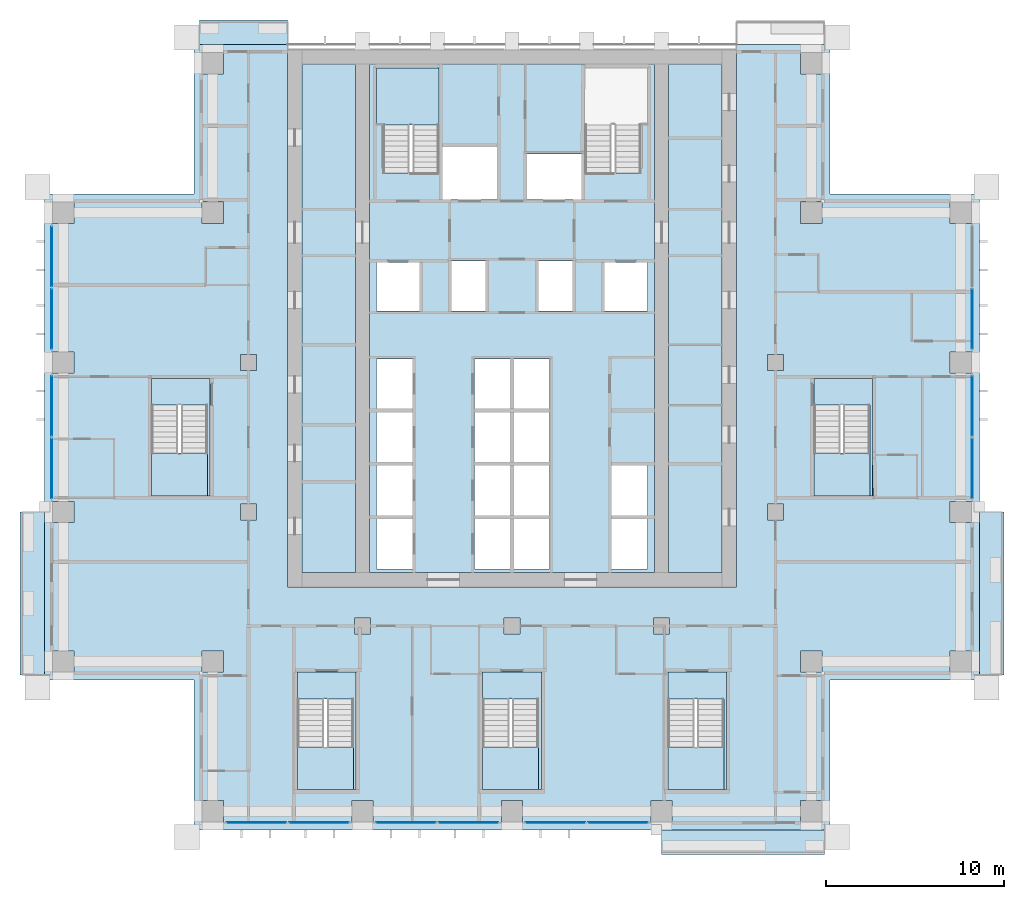
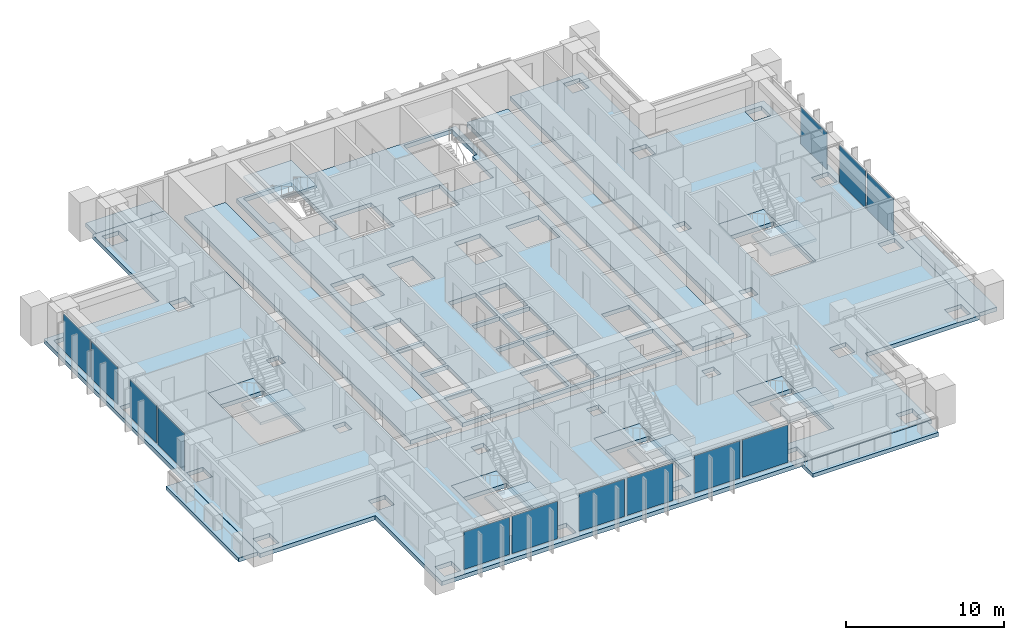
# One storey, part 8 of 21: 19 slabs, 13 plates, 13 elements without a shape of their own.
"""IFC4 building model written with IfcOpenShell, lengths in metres."""

from ifc_helpers import new_model, si_unit, direction, frame, origin, origin_2d, place, context, subcontext, project, spatial, polyline, rectangle, outline, extrude, material, layer, layer_set, type_object, element, aggregate, save


model = new_model("IFC4")

# Units and contexts
model_context = context("Model", 3, precision=1e-05, world=origin(), true_north=direction((0.0, 1.0)))
body_context = subcontext(model_context, "Body", "Model", "MODEL_VIEW")
ifc_project = project(units=[si_unit("LENGTHUNIT", "METRE"), si_unit("AREAUNIT", "SQUARE_METRE"), si_unit("VOLUMEUNIT", "CUBIC_METRE"), si_unit("PLANEANGLEUNIT", "RADIAN"), si_unit("MASSUNIT", "GRAM", prefix="KILO")], contexts=[model_context])

# Site, building, storey
site_placement = place(None, origin())
site = spatial("IfcSite", under=ifc_project, at=site_placement, CompositionType="ELEMENT")
building_placement = place(site_placement, origin())
building = spatial("IfcBuilding", under=site, at=building_placement, Name="Vermilion Ogive Tower", CompositionType="ELEMENT")
storey_placement = place(building_placement, frame((0.0, 0.0, 118.35009765625)))
storey = spatial("IfcBuildingStorey", under=building, at=storey_placement, Name="L30", CompositionType="ELEMENT", Elevation=118.35009765625)

# Slabs
ifc_material_1 = material(Name="Concrete B40", Category="concrete")
ifc_layer_1 = layer(ifc_material_1, 0.300048828125)
ifc_layer_set_1 = layer_set([ifc_layer_1], Name="Balcony slab")
slab_type_1 = type_object("IfcSlabType", Name="Balcony slab", PredefinedType="FLOOR", material=ifc_layer_set_1)
slab_1_placement = place(storey_placement, frame((0.0, 0.0, -0.340087890625)))
element("IfcSlab", 1, at=slab_1_placement, inside=storey, type_object=slab_type_1, Name="Balcony slab S04", PredefinedType="FLOOR", context=body_context, shape_type="SweptSolid", body=[
    extrude(outline(polyline([(8.39990234375, -23.43408203125), (17.550048828125, -23.43408203125), (17.550048828125, -22.050048828125), (8.39990234375, -22.050048828125), (8.39990234375, -23.43408203125)])), origin(), (0.0, 0.0, 1.0), 0.300048828125),
])
slab_2_placement = place(storey_placement, frame((0.0, 0.0, -0.340087890625)))
element("IfcSlab", 2, at=slab_2_placement, inside=storey, type_object=slab_type_1, Name="Balcony slab E01", PredefinedType="FLOOR", context=body_context, shape_type="SweptSolid", body=[
    extrude(outline(polyline([(27.634033203125, -13.35009765625), (27.634033203125, -4.199951171875), (26.25, -4.199951171875), (26.25, -13.35009765625), (27.634033203125, -13.35009765625)])), origin(), (0.0, 0.0, 1.0), 0.300048828125),
])
slab_3_placement = place(storey_placement, frame((0.0, 0.0, -0.340087890625)))
element("IfcSlab", 3, at=slab_3_placement, inside=storey, type_object=slab_type_1, Name="Balcony slab N201", PredefinedType="FLOOR", context=body_context, shape_type="SweptSolid", body=[
    extrude(outline(polyline([(-12.60009765625, 23.43408203125), (-17.550048828125, 23.43408203125), (-17.550048828125, 22.050048828125), (-12.60009765625, 22.050048828125), (-12.60009765625, 23.43408203125)])), origin(), (0.0, 0.0, 1.0), 0.300048828125),
])
slab_4_placement = place(storey_placement, frame((0.0, 0.0, -0.340087890625)))
element("IfcSlab", 4, at=slab_4_placement, inside=storey, type_object=slab_type_1, Name="Balcony slab W03", PredefinedType="FLOOR", context=body_context, shape_type="SweptSolid", body=[
    extrude(outline(polyline([(-27.634033203125, -4.199951171875), (-27.634033203125, -13.35009765625), (-26.25, -13.35009765625), (-26.25, -4.199951171875), (-27.634033203125, -4.199951171875)])), origin(), (0.0, 0.0, 1.0), 0.300048828125),
])

# Curtain wall, plates
ifc_material_2 = material(Name="Low-iron laminated glazing in aluminium frame", Category="aluminium")
curtain_wall_type = type_object("IfcCurtainWallType", Name="Curtain wall CW7", PredefinedType="NOTDEFINED", material=ifc_material_2)
curtain_wall_1_placement = place(storey_placement, origin())
curtain_wall_1 = element("IfcCurtainWall", 5, at=curtain_wall_1_placement, inside=storey, type_object=curtain_wall_type, Name="Glazed skin S1", PredefinedType="NOTDEFINED")
ifc_material_3 = material(Name="Low-iron laminated glazing in aluminium frame", Category="aluminium")
ifc_layer_2 = layer(ifc_material_3, 0.031982421875)
ifc_layer_set_2 = layer_set([ifc_layer_2], Name="CW7 glazing panel 32")
plate_type = type_object("IfcPlateType", Name="CW7 glazing panel 32", PredefinedType="CURTAIN_PANEL", material=ifc_layer_set_2)
plate_1_placement = place(storey_placement, frame((-14.35498046875, -21.64990234375, 0.06005859375), z_axis=(0.0, 0.0, 1.0), x_axis=(1.0, 0.0, 0.0)))
plate_1 = element("IfcPlate", 6, at=plate_1_placement, type_object=plate_type, Name="CW7-S1 panel 1.1", PredefinedType="CURTAIN_PANEL", context=body_context, shape_type="SweptSolid", body=[
    extrude(rectangle(XDim=3.330078125, YDim=0.031982421875, at=origin_2d()), origin(), (0.0, 0.0, 1.0), 2.8798828125),
])
plate_2_placement = place(storey_placement, frame((-10.844970703125, -21.64990234375, 0.06005859375), z_axis=(0.0, 0.0, 1.0), x_axis=(1.0, 0.0, 0.0)))
plate_2 = element("IfcPlate", 7, at=plate_2_placement, type_object=plate_type, Name="CW7-S1 panel 2.1", PredefinedType="CURTAIN_PANEL", context=body_context, shape_type="SweptSolid", body=[
    extrude(rectangle(XDim=3.330078125, YDim=0.031982421875, at=origin_2d()), origin(), (0.0, 0.0, 1.0), 2.8798828125),
])
aggregate(curtain_wall_1, [plate_1, plate_2])

curtain_wall_2_placement = place(storey_placement, origin())
curtain_wall_2 = element("IfcCurtainWall", 8, at=curtain_wall_2_placement, inside=storey, type_object=curtain_wall_type, Name="Glazed skin S2", PredefinedType="NOTDEFINED")
plate_3_placement = place(storey_placement, frame((-5.955078125, -21.64990234375, 0.06005859375), z_axis=(0.0, 0.0, 1.0), x_axis=(1.0, 0.0, 0.0)))
plate_3 = element("IfcPlate", 9, at=plate_3_placement, type_object=plate_type, Name="CW7-S2 panel 1.1", PredefinedType="CURTAIN_PANEL", context=body_context, shape_type="SweptSolid", body=[
    extrude(rectangle(XDim=3.330078125, YDim=0.031982421875, at=origin_2d()), origin(), (0.0, 0.0, 1.0), 2.8798828125),
])
plate_4_placement = place(storey_placement, frame((-2.445068359375, -21.64990234375, 0.06005859375), z_axis=(0.0, 0.0, 1.0), x_axis=(1.0, 0.0, 0.0)))
plate_4 = element("IfcPlate", 10, at=plate_4_placement, type_object=plate_type, Name="CW7-S2 panel 2.1", PredefinedType="CURTAIN_PANEL", context=body_context, shape_type="SweptSolid", body=[
    extrude(rectangle(XDim=3.330078125, YDim=0.031982421875, at=origin_2d()), origin(), (0.0, 0.0, 1.0), 2.8798828125),
])
aggregate(curtain_wall_2, [plate_3, plate_4])

curtain_wall_3_placement = place(storey_placement, origin())
curtain_wall_3 = element("IfcCurtainWall", 11, at=curtain_wall_3_placement, inside=storey, type_object=curtain_wall_type, Name="Glazed skin S3", PredefinedType="NOTDEFINED")
plate_5_placement = place(storey_placement, frame((2.445068359375, -21.64990234375, 0.06005859375), z_axis=(0.0, 0.0, 1.0), x_axis=(1.0, 0.0, 0.0)))
plate_5 = element("IfcPlate", 12, at=plate_5_placement, type_object=plate_type, Name="CW7-S3 panel 1.1", PredefinedType="CURTAIN_PANEL", context=body_context, shape_type="SweptSolid", body=[
    extrude(rectangle(XDim=3.330078125, YDim=0.031982421875, at=origin_2d()), origin(), (0.0, 0.0, 1.0), 2.8798828125),
])
plate_6_placement = place(storey_placement, frame((5.955078125, -21.64990234375, 0.06005859375), z_axis=(0.0, 0.0, 1.0), x_axis=(1.0, 0.0, 0.0)))
plate_6 = element("IfcPlate", 13, at=plate_6_placement, type_object=plate_type, Name="CW7-S3 panel 2.1", PredefinedType="CURTAIN_PANEL", context=body_context, shape_type="SweptSolid", body=[
    extrude(rectangle(XDim=3.330078125, YDim=0.031982421875, at=origin_2d()), origin(), (0.0, 0.0, 1.0), 2.8798828125),
])
aggregate(curtain_wall_3, [plate_5, plate_6])

curtain_wall_4_placement = place(storey_placement, origin())
curtain_wall_4 = element("IfcCurtainWall", 14, at=curtain_wall_4_placement, inside=storey, type_object=curtain_wall_type, Name="Glazed skin E2", PredefinedType="NOTDEFINED")
plate_7_placement = place(storey_placement, frame((25.85009765625, -1.7548828125, 0.06005859375), z_axis=(0.0, 0.0, 1.0), x_axis=(0.0, 1.0, 0.0)))
plate_7 = element("IfcPlate", 15, at=plate_7_placement, type_object=plate_type, Name="CW7-E2 panel 1.1", PredefinedType="CURTAIN_PANEL", context=body_context, shape_type="SweptSolid", body=[
    extrude(rectangle(XDim=3.330078125, YDim=0.031982421875, at=origin_2d()), origin(), (0.0, 0.0, 1.0), 2.8798828125),
])
plate_8_placement = place(storey_placement, frame((25.85009765625, 1.7548828125, 0.06005859375), z_axis=(0.0, 0.0, 1.0), x_axis=(0.0, 1.0, 0.0)))
plate_8 = element("IfcPlate", 16, at=plate_8_placement, type_object=plate_type, Name="CW7-E2 panel 2.1", PredefinedType="CURTAIN_PANEL", context=body_context, shape_type="SweptSolid", body=[
    extrude(rectangle(XDim=3.330078125, YDim=0.031982421875, at=origin_2d()), origin(), (0.0, 0.0, 1.0), 2.8798828125),
])
aggregate(curtain_wall_4, [plate_7, plate_8])

# Curtain wall, plate
curtain_wall_5_placement = place(storey_placement, origin())
curtain_wall_5 = element("IfcCurtainWall", 17, at=curtain_wall_5_placement, inside=storey, type_object=curtain_wall_type, Name="Glazed skin E3", PredefinedType="NOTDEFINED")
plate_9_placement = place(storey_placement, frame((25.85009765625, 6.64501953125, 0.06005859375), z_axis=(0.0, 0.0, 1.0), x_axis=(0.0, 1.0, 0.0)))
plate_9 = element("IfcPlate", 18, at=plate_9_placement, type_object=plate_type, Name="CW7-E3 panel 1.1", PredefinedType="CURTAIN_PANEL", context=body_context, shape_type="SweptSolid", body=[
    extrude(rectangle(XDim=3.330078125, YDim=0.031982421875, at=origin_2d()), origin(), (0.0, 0.0, 1.0), 2.8798828125),
])
aggregate(curtain_wall_5, [plate_9])

# Curtain wall, plates
curtain_wall_6_placement = place(storey_placement, origin())
curtain_wall_6 = element("IfcCurtainWall", 19, at=curtain_wall_6_placement, inside=storey, type_object=curtain_wall_type, Name="Glazed skin W1", PredefinedType="NOTDEFINED")
plate_10_placement = place(storey_placement, frame((-25.85009765625, 10.155029296875, 0.06005859375), z_axis=(0.0, 0.0, 1.0), x_axis=(0.0, -1.0, 0.0)))
plate_10 = element("IfcPlate", 20, at=plate_10_placement, type_object=plate_type, Name="CW7-W1 panel 1.1", PredefinedType="CURTAIN_PANEL", context=body_context, shape_type="SweptSolid", body=[
    extrude(rectangle(XDim=3.330078125, YDim=0.031982421875, at=origin_2d()), origin(), (0.0, 0.0, 1.0), 2.8798828125),
])
plate_11_placement = place(storey_placement, frame((-25.85009765625, 6.64501953125, 0.06005859375), z_axis=(0.0, 0.0, 1.0), x_axis=(0.0, -1.0, 0.0)))
plate_11 = element("IfcPlate", 21, at=plate_11_placement, type_object=plate_type, Name="CW7-W1 panel 2.1", PredefinedType="CURTAIN_PANEL", context=body_context, shape_type="SweptSolid", body=[
    extrude(rectangle(XDim=3.330078125, YDim=0.031982421875, at=origin_2d()), origin(), (0.0, 0.0, 1.0), 2.8798828125),
])
aggregate(curtain_wall_6, [plate_10, plate_11])

curtain_wall_7_placement = place(storey_placement, origin())
curtain_wall_7 = element("IfcCurtainWall", 22, at=curtain_wall_7_placement, inside=storey, type_object=curtain_wall_type, Name="Glazed skin W2", PredefinedType="NOTDEFINED")
plate_12_placement = place(storey_placement, frame((-25.85009765625, 1.7548828125, 0.06005859375), z_axis=(0.0, 0.0, 1.0), x_axis=(0.0, -1.0, 0.0)))
plate_12 = element("IfcPlate", 23, at=plate_12_placement, type_object=plate_type, Name="CW7-W2 panel 1.1", PredefinedType="CURTAIN_PANEL", context=body_context, shape_type="SweptSolid", body=[
    extrude(rectangle(XDim=3.330078125, YDim=0.031982421875, at=origin_2d()), origin(), (0.0, 0.0, 1.0), 2.8798828125),
])
plate_13_placement = place(storey_placement, frame((-25.85009765625, -1.7548828125, 0.06005859375), z_axis=(0.0, 0.0, 1.0), x_axis=(0.0, -1.0, 0.0)))
plate_13 = element("IfcPlate", 24, at=plate_13_placement, type_object=plate_type, Name="CW7-W2 panel 2.1", PredefinedType="CURTAIN_PANEL", context=body_context, shape_type="SweptSolid", body=[
    extrude(rectangle(XDim=3.330078125, YDim=0.031982421875, at=origin_2d()), origin(), (0.0, 0.0, 1.0), 2.8798828125),
])
aggregate(curtain_wall_7, [plate_12, plate_13])

# Slabs
ifc_material_4 = material(Name="Concrete B40", Category="concrete")
ifc_layer_3 = layer(ifc_material_4, 0.320068359375)
ifc_layer_set_3 = layer_set([ifc_layer_3], Name="Core floor slab 320 B40")
slab_type_2 = type_object("IfcSlabType", Name="Core floor slab 320 B40", PredefinedType="FLOOR", material=ifc_layer_set_3)
slab_5_placement = place(storey_placement, frame((0.0, 0.0, -0.320068359375)))
element("IfcSlab", 25, at=slab_5_placement, inside=storey, type_object=slab_type_2, Name="L30-CK-FS1", PredefinedType="FLOOR", context=body_context, shape_type="SweptSolid", body=[
    extrude(outline(polyline([(-8.803955078125, 20.946044921875), (-8.803955078125, -7.595947265625), (-11.7958984375, -7.595947265625), (-11.7958984375, 20.946044921875), (-8.803955078125, 20.946044921875)])), origin(), (0.0, 0.0, 1.0), 0.320068359375),
])
slab_6_placement = place(storey_placement, frame((0.0, 0.0, -0.320068359375)))
element("IfcSlab", 26, at=slab_6_placement, inside=storey, type_object=slab_type_2, Name="L30-CK-FS2", PredefinedType="FLOOR", context=body_context, shape_type="SweptSolid", body=[
    extrude(outline(polyline([(-7.99609375, 20.946044921875), (-7.99609375, -7.595947265625), (7.99609375, -7.595947265625), (7.99609375, 20.946044921875), (-7.99609375, 20.946044921875)]), holes=[polyline([(-7.60009765625, -4.60009765625), (-5.60009765625, -4.60009765625), (-5.60009765625, -7.39990234375), (-7.60009765625, -7.39990234375), (-7.60009765625, -4.60009765625)]), polyline([(-2.10009765625, -4.60009765625), (-0.10009765625, -4.60009765625), (-0.10009765625, -7.39990234375), (-2.10009765625, -7.39990234375), (-2.10009765625, -4.60009765625)]), polyline([(-7.60009765625, -4.39990234375), (-7.60009765625, -1.60009765625), (-5.60009765625, -1.60009765625), (-5.60009765625, -4.39990234375), (-7.60009765625, -4.39990234375)]), polyline([(-2.10009765625, -1.60009765625), (-0.10009765625, -1.60009765625), (-0.10009765625, -4.39990234375), (-2.10009765625, -4.39990234375), (-2.10009765625, -1.60009765625)]), polyline([(-7.60009765625, -1.39990234375), (-7.60009765625, 1.39990234375), (-5.60009765625, 1.39990234375), (-5.60009765625, -1.39990234375), (-7.60009765625, -1.39990234375)]), polyline([(-2.10009765625, 1.39990234375), (-0.10009765625, 1.39990234375), (-0.10009765625, -1.39990234375), (-2.10009765625, -1.39990234375), (-2.10009765625, 1.39990234375)]), polyline([(-7.60009765625, 4.39990234375), (-5.60009765625, 4.39990234375), (-5.60009765625, 1.60009765625), (-7.60009765625, 1.60009765625), (-7.60009765625, 4.39990234375)]), polyline([(-2.10009765625, 4.39990234375), (-0.10009765625, 4.39990234375), (-0.10009765625, 1.60009765625), (-2.10009765625, 1.60009765625), (-2.10009765625, 4.39990234375)]), polyline([(-7.60009765625, 9.800048828125), (-5.199951171875, 9.800048828125), (-5.199951171875, 7.10009765625), (-7.60009765625, 7.10009765625), (-7.60009765625, 9.800048828125)]), polyline([(-3.39990234375, 9.89990234375), (-1.5, 9.89990234375), (-1.5, 7.10009765625), (-3.39990234375, 7.10009765625), (-3.39990234375, 9.89990234375)]), polyline([(-3.89990234375, 16.300048828125), (-0.85009765625, 16.300048828125), (-0.85009765625, 13.35009765625), (-3.89990234375, 13.35009765625), (-3.89990234375, 16.300048828125)]), polyline([(-7.60009765625, 17.550048828125), (-7.60009765625, 20.75), (-4.10009765625, 20.75), (-4.10009765625, 14.85205078125), (-5.60009765625, 14.85205078125), (-5.60009765625, 14.85009765625), (-5.75, 14.85009765625), (-5.75, 14.85205078125), (-7.25, 14.85205078125), (-7.25, 17.550048828125), (-7.60009765625, 17.550048828125)]), polyline([(0.10009765625, -4.60009765625), (2.10009765625, -4.60009765625), (2.10009765625, -7.39990234375), (0.10009765625, -7.39990234375), (0.10009765625, -4.60009765625)]), polyline([(5.60009765625, -4.60009765625), (7.60009765625, -4.60009765625), (7.60009765625, -7.39990234375), (5.60009765625, -7.39990234375), (5.60009765625, -4.60009765625)]), polyline([(0.10009765625, -1.60009765625), (2.10009765625, -1.60009765625), (2.10009765625, -4.39990234375), (0.10009765625, -4.39990234375), (0.10009765625, -1.60009765625)]), polyline([(5.60009765625, -1.60009765625), (7.60009765625, -1.60009765625), (7.60009765625, -4.39990234375), (5.60009765625, -4.39990234375), (5.60009765625, -1.60009765625)]), polyline([(0.10009765625, 1.39990234375), (2.10009765625, 1.39990234375), (2.10009765625, -1.39990234375), (0.10009765625, -1.39990234375), (0.10009765625, 1.39990234375)]), polyline([(0.10009765625, 4.39990234375), (2.10009765625, 4.39990234375), (2.10009765625, 1.60009765625), (0.10009765625, 1.60009765625), (0.10009765625, 4.39990234375)]), polyline([(5.199951171875, 9.800048828125), (7.60009765625, 9.800048828125), (7.60009765625, 7.10009765625), (5.199951171875, 7.10009765625), (5.199951171875, 9.800048828125)]), polyline([(1.5, 9.89990234375), (3.39990234375, 9.89990234375), (3.39990234375, 7.10009765625), (1.5, 7.10009765625), (1.5, 9.89990234375)]), polyline([(0.85009765625, 15.89990234375), (3.89990234375, 15.89990234375), (3.89990234375, 13.35009765625), (0.85009765625, 13.35009765625), (0.85009765625, 15.89990234375)]), polyline([(5.75, 14.85009765625), (5.60009765625, 14.85009765625), (5.60009765625, 14.85205078125), (4.10009765625, 14.85205078125), (4.10009765625, 17.550048828125), (4.074951171875, 17.550048828125), (4.074951171875, 20.75), (7.60009765625, 20.75), (7.60009765625, 17.550048828125), (7.25, 17.550048828125), (7.25, 14.85205078125), (5.75, 14.85205078125), (5.75, 14.85009765625)])]), origin(), (0.0, 0.0, 1.0), 0.320068359375),
])
slab_7_placement = place(storey_placement, frame((0.0, 0.0, -0.320068359375)))
element("IfcSlab", 27, at=slab_7_placement, inside=storey, type_object=slab_type_2, Name="L30-CK-FS3", PredefinedType="FLOOR", context=body_context, shape_type="SweptSolid", body=[
    extrude(outline(polyline([(11.7958984375, -7.595947265625), (8.803955078125, -7.595947265625), (8.803955078125, 20.946044921875), (11.7958984375, 20.946044921875), (11.7958984375, -7.595947265625)])), origin(), (0.0, 0.0, 1.0), 0.320068359375),
])
slab_8_placement = place(storey_placement, frame((0.0, 0.0, -0.320068359375)))
element("IfcSlab", 28, at=slab_8_placement, inside=storey, type_object=slab_type_2, Name="L30-SF-ST3-1", PredefinedType="FLOOR", context=body_context, shape_type="SweptSolid", body=[
    extrude(outline(polyline([(-12.050048828125, -13.199951171875), (-12.050048828125, -14.701904296875), (-10.550048828125, -14.701904296875), (-10.550048828125, -14.699951171875), (-10.39990234375, -14.699951171875), (-10.39990234375, -14.701904296875), (-8.89990234375, -14.701904296875), (-8.89990234375, -19.800048828125), (-8.75, -19.800048828125), (-8.75, -13.199951171875), (-12.050048828125, -13.199951171875)])), origin(), (0.0, 0.0, 1.0), 0.320068359375),
])
slab_9_placement = place(storey_placement, frame((0.0, 0.0, -0.320068359375)))
element("IfcSlab", 29, at=slab_9_placement, inside=storey, type_object=slab_type_2, Name="L30-SF-ST4-1", PredefinedType="FLOOR", context=body_context, shape_type="SweptSolid", body=[
    extrude(outline(polyline([(-1.64990234375, -13.199951171875), (-1.64990234375, -14.701904296875), (-0.14990234375, -14.701904296875), (-0.14990234375, -14.699951171875), (0.0, -14.699951171875), (0.0, -14.701904296875), (1.5, -14.701904296875), (1.5, -19.800048828125), (1.64990234375, -19.800048828125), (1.64990234375, -13.199951171875), (-1.64990234375, -13.199951171875)])), origin(), (0.0, 0.0, 1.0), 0.320068359375),
])
slab_10_placement = place(storey_placement, frame((0.0, 0.0, -0.320068359375)))
element("IfcSlab", 30, at=slab_10_placement, inside=storey, type_object=slab_type_2, Name="L30-SF-ST5-1", PredefinedType="FLOOR", context=body_context, shape_type="SweptSolid", body=[
    extrude(outline(polyline([(8.75, -13.199951171875), (8.75, -14.701904296875), (10.25, -14.701904296875), (10.25, -14.699951171875), (10.39990234375, -14.699951171875), (10.39990234375, -14.701904296875), (11.89990234375, -14.701904296875), (11.89990234375, -19.800048828125), (12.050048828125, -19.800048828125), (12.050048828125, -13.199951171875), (8.75, -13.199951171875)])), origin(), (0.0, 0.0, 1.0), 0.320068359375),
])
slab_11_placement = place(storey_placement, frame((0.0, 0.0, -0.320068359375)))
element("IfcSlab", 31, at=slab_11_placement, inside=storey, type_object=slab_type_2, Name="L30-SF-ST8-1", PredefinedType="FLOOR", context=body_context, shape_type="SweptSolid", body=[
    extrude(outline(polyline([(16.949951171875, 3.300048828125), (16.949951171875, 1.798095703125), (18.449951171875, 1.798095703125), (18.449951171875, 1.800048828125), (18.60009765625, 1.800048828125), (18.60009765625, 1.798095703125), (20.10009765625, 1.798095703125), (20.10009765625, -3.300048828125), (20.25, -3.300048828125), (20.25, 3.300048828125), (16.949951171875, 3.300048828125)])), origin(), (0.0, 0.0, 1.0), 0.320068359375),
])
slab_12_placement = place(storey_placement, frame((0.0, 0.0, -0.320068359375)))
element("IfcSlab", 32, at=slab_12_placement, inside=storey, type_object=slab_type_2, Name="L30-SF-ST9-1", PredefinedType="FLOOR", context=body_context, shape_type="SweptSolid", body=[
    extrude(outline(polyline([(-20.25, 3.300048828125), (-20.25, 1.798095703125), (-18.75, 1.798095703125), (-18.75, 1.800048828125), (-18.60009765625, 1.800048828125), (-18.60009765625, 1.798095703125), (-17.10009765625, 1.798095703125), (-17.10009765625, -3.300048828125), (-16.949951171875, -3.300048828125), (-16.949951171875, 3.300048828125), (-20.25, 3.300048828125)])), origin(), (0.0, 0.0, 1.0), 0.320068359375),
])
ifc_material_5 = material(Name="Concrete B45", Category="concrete")
ifc_layer_4 = layer(ifc_material_5, 0.320068359375)
ifc_layer_set_4 = layer_set([ifc_layer_4], Name="Post-tensioned flat plate 320 B45")
slab_type_3 = type_object("IfcSlabType", Name="Post-tensioned flat plate 320 B45", PredefinedType="FLOOR", material=ifc_layer_set_4)
slab_13_placement = place(storey_placement, frame((0.0, 0.0, -0.320068359375)))
element("IfcSlab", 33, at=slab_13_placement, inside=storey, type_object=slab_type_3, Name="L30-SL-1", PredefinedType="FLOOR", context=body_context, shape_type="SweptSolid", body=[
    extrude(outline(polyline([(-26.25, 13.64990234375), (-26.25, -13.64990234375), (-17.85009765625, -13.64990234375), (-17.85009765625, -22.050048828125), (17.85009765625, -22.050048828125), (17.85009765625, -13.64990234375), (26.25, -13.64990234375), (26.25, 13.64990234375), (17.85009765625, 13.64990234375), (17.85009765625, 22.050048828125), (12.60009765625, 22.050048828125), (12.60009765625, -8.39990234375), (-12.60009765625, -8.39990234375), (-12.60009765625, 22.050048828125), (-17.85009765625, 22.050048828125), (-17.85009765625, 13.64990234375), (-26.25, 13.64990234375)]), holes=[polyline([(24.60009765625, -3.60009765625), (25.800048828125, -3.60009765625), (25.800048828125, -4.800048828125), (24.60009765625, -4.800048828125), (24.60009765625, -3.60009765625)]), polyline([(24.60009765625, -12.0), (25.800048828125, -12.0), (25.800048828125, -13.199951171875), (24.60009765625, -13.199951171875), (24.60009765625, -12.0)]), polyline([(25.800048828125, 13.199951171875), (25.800048828125, 12.0), (24.60009765625, 12.0), (24.60009765625, 13.199951171875), (25.800048828125, 13.199951171875)]), polyline([(25.800048828125, 4.800048828125), (25.800048828125, 3.60009765625), (24.60009765625, 3.60009765625), (24.60009765625, 4.800048828125), (25.800048828125, 4.800048828125)]), polyline([(20.275146484375, -3.2998046875), (20.25, -3.2998046875), (20.25, -3.300048828125), (16.949951171875, -3.300048828125), (16.949951171875, 3.300048828125), (20.25, 3.300048828125), (20.25, -0.89990234375), (20.275146484375, -0.89990234375), (20.275146484375, -3.2998046875)]), polyline([(16.199951171875, -12.0), (17.39990234375, -12.0), (17.39990234375, -13.199951171875), (16.199951171875, -13.199951171875), (16.199951171875, -12.0)]), polyline([(17.39990234375, 21.60009765625), (17.39990234375, 20.39990234375), (16.199951171875, 20.39990234375), (16.199951171875, 21.60009765625), (17.39990234375, 21.60009765625)]), polyline([(16.199951171875, -20.39990234375), (17.39990234375, -20.39990234375), (17.39990234375, -21.60009765625), (16.199951171875, -21.60009765625), (16.199951171875, -20.39990234375)]), polyline([(16.199951171875, 13.199951171875), (17.39990234375, 13.199951171875), (17.39990234375, 12.0), (16.199951171875, 12.0), (16.199951171875, 13.199951171875)]), polyline([(14.35009765625, 4.64990234375), (15.25, 4.64990234375), (15.25, 3.75), (14.35009765625, 3.75), (14.35009765625, 4.64990234375)]), polyline([(15.25, -3.75), (15.25, -4.64990234375), (14.35009765625, -4.64990234375), (14.35009765625, -3.75), (15.25, -3.75)]), polyline([(8.75, -13.199951171875), (12.050048828125, -13.199951171875), (12.050048828125, -19.800048828125), (8.75, -19.800048828125), (8.75, -13.199951171875)]), polyline([(7.800048828125, -20.39990234375), (9.0, -20.39990234375), (9.0, -21.60009765625), (7.800048828125, -21.60009765625), (7.800048828125, -20.39990234375)]), polyline([(8.85009765625, -10.14990234375), (8.85009765625, -11.050048828125), (7.949951171875, -11.050048828125), (7.949951171875, -10.14990234375), (8.85009765625, -10.14990234375)]), polyline([(-1.64990234375, -13.199951171875), (1.64990234375, -13.199951171875), (1.64990234375, -19.800048828125), (-1.64990234375, -19.800048828125), (-1.64990234375, -13.199951171875)]), polyline([(-0.60009765625, -20.39990234375), (0.60009765625, -20.39990234375), (0.60009765625, -21.60009765625), (-0.60009765625, -21.60009765625), (-0.60009765625, -20.39990234375)]), polyline([(-0.449951171875, -10.14990234375), (0.449951171875, -10.14990234375), (0.449951171875, -11.050048828125), (-0.449951171875, -11.050048828125), (-0.449951171875, -10.14990234375)]), polyline([(-9.0, -20.39990234375), (-7.800048828125, -20.39990234375), (-7.800048828125, -21.60009765625), (-9.0, -21.60009765625), (-9.0, -20.39990234375)]), polyline([(-8.85009765625, -10.14990234375), (-7.949951171875, -10.14990234375), (-7.949951171875, -11.050048828125), (-8.85009765625, -11.050048828125), (-8.85009765625, -10.14990234375)]), polyline([(-12.050048828125, -13.199951171875), (-8.75, -13.199951171875), (-8.75, -19.800048828125), (-12.050048828125, -19.800048828125), (-12.050048828125, -13.199951171875)]), polyline([(-15.25, 4.64990234375), (-14.35009765625, 4.64990234375), (-14.35009765625, 3.75), (-15.25, 3.75), (-15.25, 4.64990234375)]), polyline([(-14.35009765625, -3.75), (-14.35009765625, -4.64990234375), (-15.25, -4.64990234375), (-15.25, -3.75), (-14.35009765625, -3.75)]), polyline([(-17.39990234375, 13.199951171875), (-16.199951171875, 13.199951171875), (-16.199951171875, 12.0), (-17.39990234375, 12.0), (-17.39990234375, 13.199951171875)]), polyline([(-17.39990234375, -12.0), (-16.199951171875, -12.0), (-16.199951171875, -13.199951171875), (-17.39990234375, -13.199951171875), (-17.39990234375, -12.0)]), polyline([(-17.39990234375, -20.39990234375), (-16.199951171875, -20.39990234375), (-16.199951171875, -21.60009765625), (-17.39990234375, -21.60009765625), (-17.39990234375, -20.39990234375)]), polyline([(-16.199951171875, 21.60009765625), (-16.199951171875, 20.39990234375), (-17.39990234375, 20.39990234375), (-17.39990234375, 21.60009765625), (-16.199951171875, 21.60009765625)]), polyline([(-20.25, -3.300048828125), (-20.25, -3.2998046875), (-20.275146484375, -3.2998046875), (-20.275146484375, -0.89990234375), (-20.25, -0.89990234375), (-20.25, 3.300048828125), (-16.949951171875, 3.300048828125), (-16.949951171875, -3.300048828125), (-20.25, -3.300048828125)]), polyline([(-24.60009765625, 4.800048828125), (-24.60009765625, 3.60009765625), (-25.800048828125, 3.60009765625), (-25.800048828125, 4.800048828125), (-24.60009765625, 4.800048828125)]), polyline([(-25.800048828125, 13.199951171875), (-24.60009765625, 13.199951171875), (-24.60009765625, 12.0), (-25.800048828125, 12.0), (-25.800048828125, 13.199951171875)]), polyline([(-25.800048828125, -3.60009765625), (-24.60009765625, -3.60009765625), (-24.60009765625, -4.800048828125), (-25.800048828125, -4.800048828125), (-25.800048828125, -3.60009765625)]), polyline([(-25.800048828125, -12.0), (-24.60009765625, -12.0), (-24.60009765625, -13.199951171875), (-25.800048828125, -13.199951171875), (-25.800048828125, -12.0)])]), origin(), (0.0, 0.0, 1.0), 0.320068359375),
])

# Stair, slab
ifc_material_6 = material(Name="Concrete B40", Category="concrete")
stair_type = type_object("IfcStairType", Name="Exit stair 1500", PredefinedType="HALF_TURN_STAIR", material=ifc_material_6)
stair_1_placement = place(storey_placement, origin())
stair_1 = element("IfcStair", 34, at=stair_1_placement, inside=storey, type_object=stair_type, Name="L30 Exit Stair ST1", PredefinedType="HALF_TURN_STAIR")
ifc_material_7 = material(Name="Concrete B40", Category="concrete")
ifc_layer_5 = layer(ifc_material_7, 0.199951171875)
ifc_layer_set_5 = layer_set([ifc_layer_5], Name="Stair landing 200")
slab_type_4 = type_object("IfcSlabType", Name="Stair landing 200", PredefinedType="LANDING", material=ifc_layer_set_5)
slab_14_placement = place(storey_placement, frame((0.0, 0.0, 1.52490234375)))
slab_14 = element("IfcSlab", 35, at=slab_14_placement, type_object=slab_type_4, Name="ST1 landing 1", PredefinedType="LANDING", context=body_context, shape_type="SweptSolid", body=[
    extrude(outline(polyline([(-7.60009765625, 17.550048828125), (-7.25, 17.550048828125), (-7.25, 17.548095703125), (-5.75, 17.548095703125), (-5.75, 17.550048828125), (-5.60009765625, 17.550048828125), (-5.60009765625, 17.548095703125), (-4.10009765625, 17.548095703125), (-4.10009765625, 20.75), (-7.60009765625, 20.75), (-7.60009765625, 17.550048828125)])), origin(), (0.0, 0.0, 1.0), 0.199951171875),
])
aggregate(stair_1, [slab_14])

stair_2_placement = place(storey_placement, origin())
stair_2 = element("IfcStair", 36, at=stair_2_placement, inside=storey, type_object=stair_type, Name="L30 Exit Stair ST3", PredefinedType="HALF_TURN_STAIR")
slab_15_placement = place(storey_placement, frame((0.0, 0.0, 1.52490234375)))
slab_15 = element("IfcSlab", 37, at=slab_15_placement, type_object=slab_type_4, Name="ST3 landing 1", PredefinedType="LANDING", context=body_context, shape_type="SweptSolid", body=[
    extrude(outline(polyline([(-8.75, -17.39990234375), (-8.89990234375, -17.39990234375), (-8.89990234375, -17.39794921875), (-10.39990234375, -17.39794921875), (-10.39990234375, -17.39990234375), (-10.550048828125, -17.39990234375), (-10.550048828125, -17.39794921875), (-12.050048828125, -17.39794921875), (-12.050048828125, -17.402099609375), (-12.0498046875, -17.402099609375), (-12.0498046875, -19.7998046875), (-8.75, -19.7998046875), (-8.75, -17.39990234375)])), origin(), (0.0, 0.0, 1.0), 0.199951171875),
])
aggregate(stair_2, [slab_15])

stair_3_placement = place(storey_placement, origin())
stair_3 = element("IfcStair", 38, at=stair_3_placement, inside=storey, type_object=stair_type, Name="L30 Exit Stair ST4", PredefinedType="HALF_TURN_STAIR")
slab_16_placement = place(storey_placement, frame((0.0, 0.0, 1.52490234375)))
slab_16 = element("IfcSlab", 39, at=slab_16_placement, type_object=slab_type_4, Name="ST4 landing 1", PredefinedType="LANDING", context=body_context, shape_type="SweptSolid", body=[
    extrude(outline(polyline([(1.64990234375, -17.39990234375), (1.5, -17.39990234375), (1.5, -17.39794921875), (0.0, -17.39794921875), (0.0, -17.39990234375), (-0.14990234375, -17.39990234375), (-0.14990234375, -17.39794921875), (-1.64990234375, -17.39794921875), (-1.64990234375, -19.7998046875), (1.64990234375, -19.7998046875), (1.64990234375, -17.39990234375)])), origin(), (0.0, 0.0, 1.0), 0.199951171875),
])
aggregate(stair_3, [slab_16])

stair_4_placement = place(storey_placement, origin())
stair_4 = element("IfcStair", 40, at=stair_4_placement, inside=storey, type_object=stair_type, Name="L30 Exit Stair ST5", PredefinedType="HALF_TURN_STAIR")
slab_17_placement = place(storey_placement, frame((0.0, 0.0, 1.52490234375)))
slab_17 = element("IfcSlab", 41, at=slab_17_placement, type_object=slab_type_4, Name="ST5 landing 1", PredefinedType="LANDING", context=body_context, shape_type="SweptSolid", body=[
    extrude(outline(polyline([(12.0498046875, -17.39990234375), (11.89990234375, -17.39990234375), (11.89990234375, -17.39794921875), (10.39990234375, -17.39794921875), (10.39990234375, -17.39990234375), (10.25, -17.39990234375), (10.25, -17.39794921875), (8.75, -17.39794921875), (8.75, -17.39990234375), (8.75, -17.39990234375), (8.75, -19.7998046875), (12.0498046875, -19.7998046875), (12.0498046875, -17.39990234375)])), origin(), (0.0, 0.0, 1.0), 0.199951171875),
])
aggregate(stair_4, [slab_17])

stair_5_placement = place(storey_placement, origin())
stair_5 = element("IfcStair", 42, at=stair_5_placement, inside=storey, type_object=stair_type, Name="L30 Exit Stair ST8", PredefinedType="HALF_TURN_STAIR")
slab_18_placement = place(storey_placement, frame((0.0, 0.0, 1.52490234375)))
slab_18 = element("IfcSlab", 43, at=slab_18_placement, type_object=slab_type_4, Name="ST8 landing 1", PredefinedType="LANDING", context=body_context, shape_type="SweptSolid", body=[
    extrude(outline(polyline([(20.275146484375, -0.89990234375), (20.10009765625, -0.89990234375), (20.10009765625, -0.89794921875), (18.60009765625, -0.89794921875), (18.60009765625, -0.89990234375), (18.449951171875, -0.89990234375), (18.449951171875, -0.89794921875), (16.949951171875, -0.89794921875), (16.949951171875, -0.902099609375), (16.9501953125, -0.902099609375), (16.9501953125, -3.2998046875), (20.275146484375, -3.2998046875), (20.275146484375, -0.89990234375)])), origin(), (0.0, 0.0, 1.0), 0.199951171875),
])
aggregate(stair_5, [slab_18])

stair_6_placement = place(storey_placement, origin())
stair_6 = element("IfcStair", 44, at=stair_6_placement, inside=storey, type_object=stair_type, Name="L30 Exit Stair ST9", PredefinedType="HALF_TURN_STAIR")
slab_19_placement = place(storey_placement, frame((0.0, 0.0, 1.52490234375)))
slab_19 = element("IfcSlab", 45, at=slab_19_placement, type_object=slab_type_4, Name="ST9 landing 1", PredefinedType="LANDING", context=body_context, shape_type="SweptSolid", body=[
    extrude(outline(polyline([(-16.9501953125, -0.89990234375), (-17.10009765625, -0.89990234375), (-17.10009765625, -0.89794921875), (-18.60009765625, -0.89794921875), (-18.60009765625, -0.89990234375), (-18.75, -0.89990234375), (-18.75, -0.89794921875), (-20.25, -0.89794921875), (-20.25, -0.89990234375), (-20.25, -0.89990234375), (-20.25, -3.2998046875), (-16.9501953125, -3.2998046875), (-16.9501953125, -0.89990234375)])), origin(), (0.0, 0.0, 1.0), 0.199951171875),
])
aggregate(stair_6, [slab_19])

save(model, "model.ifc")
